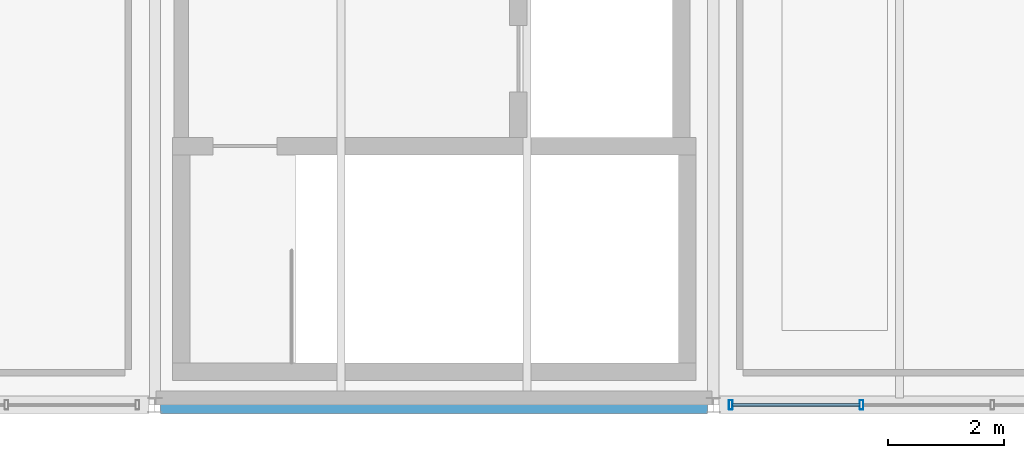
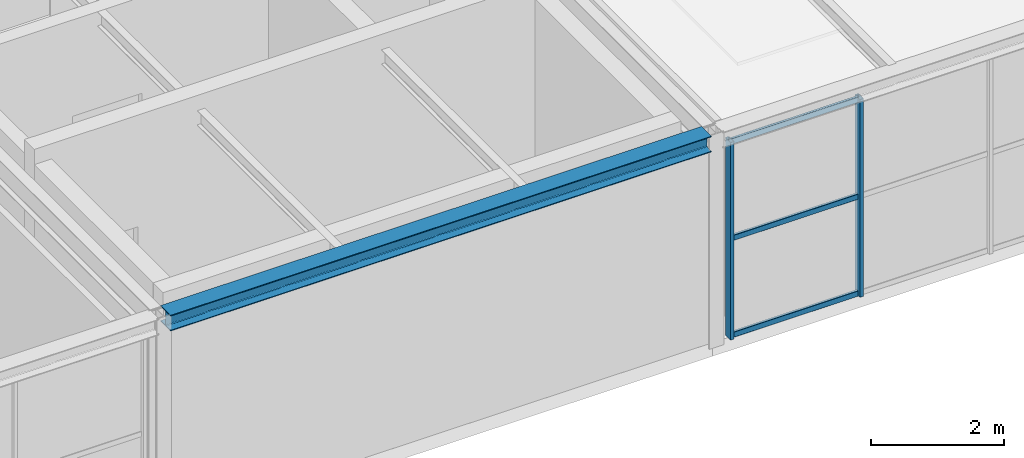
# One storey, part 10 of 33: 5 members, 1 beam, 1 element without a shape of its own.
"""IFC4 building model written with IfcOpenShell, lengths in metres."""

import ifcopenshell
import ifcopenshell.guid

model = None  # the IFC model being written
_history = None  # IfcOwnerHistory: only IFC2X3 demands one
_inside = {}  # id of a spatial element -> (the spatial element, [elements in it])
_under = {}  # id of a project, library or spatial element -> (it, [spatial elements below it])
_declared = {}  # id of a project -> (the project, [libraries it declares])
_typed = {}  # id of a type object -> (the type object, [elements of that type])
_made_of = {}  # id of a material, layer set ... -> (it, [elements and type objects made of it])


def new_model(schema):
    """Start an empty IFC model of exactly this schema.

    Asked for "IFC4X3", IfcOpenShell would pick the latest addendum, in which some entities
    have other attributes; the version numbers below select the first issue.
    IFC2X3 requires an IfcOwnerHistory on every rooted entity: one is made here for all.
    """
    global model, _history
    if schema == "IFC4X3":
        model = ifcopenshell.file(schema_version=(4, 3, 0, 0))
    else:
        model = ifcopenshell.file(schema=schema)
    _inside.clear()
    _under.clear()
    _declared.clear()
    _typed.clear()
    _made_of.clear()
    _history = None
    if model.schema == "IFC2X3":
        org = make("IfcOrganization", Name="unknown")
        user = make(
            "IfcPersonAndOrganization",
            ThePerson=make("IfcPerson", FamilyName="unknown"),
            TheOrganization=org,
        )
        app = make(
            "IfcApplication",
            ApplicationDeveloper=org,
            Version="unknown",
            ApplicationFullName="unknown",
            ApplicationIdentifier="unknown",
        )
        _history = make(
            "IfcOwnerHistory",
            OwningUser=user,
            OwningApplication=app,
            ChangeAction="ADDED",
            CreationDate=0,
        )
    return model


def make(cls, **values):
    """One entity of the class cls with the attributes given. An attribute that is None is left unset."""
    return model.create_entity(
        cls, **{name: value for name, value in values.items() if value is not None}
    )


def rooted(cls, **values):
    """An entity with a GlobalId (a new one), such as an element, a storey or a relation."""
    return make(cls, GlobalId=ifcopenshell.guid.new(), OwnerHistory=_history, **values)


def si_unit(unit_type, name, prefix=None):
    """IfcSIUnit, for example si_unit("LENGTHUNIT", "METRE", prefix="MILLI")."""
    return make("IfcSIUnit", UnitType=unit_type, Prefix=prefix, Name=name)


def assignment(units):
    """IfcUnitAssignment: the units of a project."""
    return None if units is None else make("IfcUnitAssignment", Units=units)


def point(xyz):
    """IfcCartesianPoint."""
    return None if xyz is None else make("IfcCartesianPoint", Coordinates=xyz)


def direction(xyz):
    """IfcDirection."""
    return None if xyz is None else make("IfcDirection", DirectionRatios=xyz)


def frame(location, z_axis=None, x_axis=None):
    """IfcAxis2Placement3D, a coordinate frame: its origin and axes. An axis left out is left unset."""
    return make(
        "IfcAxis2Placement3D",
        Location=point(location),
        Axis=direction(z_axis),
        RefDirection=direction(x_axis),
    )


def frame_2d(location, x_axis=None):
    """IfcAxis2Placement2D, a coordinate frame in the plane: its origin and x axis."""
    return make(
        "IfcAxis2Placement2D", Location=point(location), RefDirection=direction(x_axis)
    )


def origin():
    """The frame at (0, 0, 0) with its axes left unset."""
    return frame((0.0, 0.0, 0.0))


def origin_2d():
    """The frame at (0, 0) in the plane with its x axis left unset."""
    return frame_2d((0.0, 0.0))


def place(relative_to, where):
    """IfcLocalPlacement: puts the frame where relative to a parent placement (None: the world)."""
    return make(
        "IfcLocalPlacement", PlacementRelTo=relative_to, RelativePlacement=where
    )


def context(
    kind, dimensions, precision=None, world=None, true_north=None, identifier=None
):
    """IfcGeometricRepresentationContext, for example the 3D "Model" context."""
    return make(
        "IfcGeometricRepresentationContext",
        ContextIdentifier=identifier,
        ContextType=kind,
        CoordinateSpaceDimension=dimensions,
        Precision=precision,
        WorldCoordinateSystem=world,
        TrueNorth=true_north,
    )


def subcontext(parent, identifier, kind, view, scale=None):
    """IfcGeometricRepresentationSubContext, for example "Body" below "Model"."""
    return make(
        "IfcGeometricRepresentationSubContext",
        ContextIdentifier=identifier,
        ContextType=kind,
        ParentContext=parent,
        TargetScale=scale,
        TargetView=view,
    )


def project(units=None, contexts=None):
    """IfcProject with its units and contexts."""
    return rooted(
        "IfcProject",
        Name="project",
        RepresentationContexts=contexts,
        UnitsInContext=assignment(units),
    )


def spatial(cls, under=None, at=None, **own):
    """A site, building, storey or space (cls), placed at a placement, below another one or the project."""
    s = rooted(cls, ObjectPlacement=at, **own)
    if under is not None:
        _under.setdefault(under.id(), (under, []))[1].append(s)
    return s


def profile(cls, at=None, kind="AREA", **sizes):
    """A parametric profile (cls). Its sizes go by their IFC names, for example OverallWidth=200.0."""
    return make(cls, ProfileType=kind, Position=at, **sizes)


def hollow_rectangle(**sizes):
    """IfcRectangleHollowProfileDef."""
    return profile("IfcRectangleHollowProfileDef", **sizes)


def i_section(**sizes):
    """IfcIShapeProfileDef."""
    return profile("IfcIShapeProfileDef", **sizes)


def extrude(swept, where, along, depth):
    """IfcExtrudedAreaSolid: the profile swept, set in the frame where, extruded along a direction by depth."""
    return make(
        "IfcExtrudedAreaSolid",
        SweptArea=swept,
        Position=where,
        ExtrudedDirection=direction(along),
        Depth=depth,
    )


def shape(context_of_items, identifier, shape_type, items):
    """IfcShapeRepresentation: the items that make up one representation, for example the "Body"."""
    return make(
        "IfcShapeRepresentation",
        ContextOfItems=context_of_items,
        RepresentationIdentifier=identifier,
        RepresentationType=shape_type,
        Items=items,
    )


def material(Name=None, Category=None):
    """IfcMaterial."""
    return make("IfcMaterial", Name=Name, Category=Category)


def material_profile(
    of_material, cross_section, Name=None, Category=None, Priority=None
):
    """IfcMaterialProfile: a cross section and its material."""
    return make(
        "IfcMaterialProfile",
        Name=Name,
        Material=of_material,
        Profile=cross_section,
        Priority=Priority,
        Category=Category,
    )


def profile_set(profiles, Name=None, composite=None):
    """IfcMaterialProfileSet."""
    return make(
        "IfcMaterialProfileSet",
        Name=Name,
        MaterialProfiles=profiles,
        CompositeProfile=composite,
    )


def made_of(thing, what):
    """Note that an element or type object is made of a material, layer set ...; save() writes the relation."""
    if what is not None:
        _made_of.setdefault(what.id(), (what, []))[1].append(thing)
    return thing


def type_object(cls, material=None, **own):
    """A type object (cls), such as IfcWallType, which elements share."""
    return made_of(rooted(cls, **own), material)


def element(
    cls,
    number,
    at=None,
    inside=None,
    cuts=None,
    type_object=None,
    material=None,
    context=None,
    identifier="Body",
    shape_type=None,
    held_by="IfcProductDefinitionShape",
    body=None,
    shapes=None,
    **own,
):
    """One element of the class cls, such as IfcWall. Its Tag is "e" and its number.

    at: its placement. inside: the storey or other place that contains it. cuts: it is an
    opening in that element (IfcRelVoidsElement). A single representation is given by context,
    identifier, shape_type and body (its items); several are given by shapes. held_by: the class
    of the entity that holds the representations. save() writes the other relations.
    """
    e = rooted(cls, Tag="e%d" % number, ObjectPlacement=at, **own)
    if body is not None:
        shapes = [shape(context, identifier, shape_type, body)]
    if shapes is not None:
        e.Representation = make(held_by, Representations=shapes)
    if inside is not None:
        _inside.setdefault(inside.id(), (inside, []))[1].append(e)
    if cuts is not None:
        rooted(
            "IfcRelVoidsElement", RelatingBuildingElement=cuts, RelatedOpeningElement=e
        )
    if type_object is not None:
        _typed.setdefault(type_object.id(), (type_object, []))[1].append(e)
    return made_of(e, material)


def aggregate(whole, parts):
    """IfcRelAggregates: a whole, such as a stair, and the parts it consists of."""
    return rooted("IfcRelAggregates", RelatingObject=whole, RelatedObjects=parts)


def save(model, path):
    """Write the relations noted so far, then the file.

    IfcRelAggregates (storeys below a building ...), IfcRelContainedInSpatialStructure (elements
    in a storey), IfcRelDefinesByType, IfcRelAssociatesMaterial and IfcRelDeclares: one each for
    every whole, place, type object, material and project.
    """
    for whole, parts in _under.values():
        aggregate(whole, parts)
    for where, things in _inside.values():
        rooted(
            "IfcRelContainedInSpatialStructure",
            RelatedElements=things,
            RelatingStructure=where,
        )
    for kind, things in _typed.values():
        rooted("IfcRelDefinesByType", RelatedObjects=things, RelatingType=kind)
    for what, things in _made_of.values():
        rooted("IfcRelAssociatesMaterial", RelatedObjects=things, RelatingMaterial=what)
    for by, libraries in _declared.values():
        rooted("IfcRelDeclares", RelatingContext=by, RelatedDefinitions=libraries)
    model.write(path)


model = new_model("IFC4")

# Units and contexts
model_context = context("Model", 3, precision=1e-05, world=origin(), true_north=direction((0.0, 1.0)))
body_context = subcontext(model_context, "Body", "Model", "MODEL_VIEW")
ifc_project = project(units=[si_unit("LENGTHUNIT", "METRE"), si_unit("AREAUNIT", "SQUARE_METRE"), si_unit("VOLUMEUNIT", "CUBIC_METRE"), si_unit("PLANEANGLEUNIT", "RADIAN"), si_unit("MASSUNIT", "GRAM", prefix="KILO")], contexts=[model_context])

# Site, building, storey
site_placement = place(None, origin())
site = spatial("IfcSite", under=ifc_project, at=site_placement, CompositionType="ELEMENT")
building_placement = place(site_placement, origin())
building = spatial("IfcBuilding", under=site, at=building_placement, Name="Coralgate Yard Interchange", CompositionType="ELEMENT")
storey_placement = place(building_placement, frame((0.0, 0.0, 23.10009765625)))
storey = spatial("IfcBuildingStorey", under=building, at=storey_placement, Name="L05", CompositionType="ELEMENT", Elevation=23.10009765625)

# Beam
ifc_material_1 = material(Name="Structural steel S355J2", Category="steel")
ifc_material_profile_1 = material_profile(ifc_material_1, i_section(OverallWidth=0.300048828125, OverallDepth=0.2900390625, WebThickness=0.008544921875, FlangeThickness=0.013916015625, FilletRadius=0.027099609375, at=origin_2d()), Name="HEA 300")
ifc_profile_set_1 = profile_set([ifc_material_profile_1], Name="Structural steel S355J2")
beam_type = type_object("IfcBeamType", Name="BM-SP-2", PredefinedType="SPANDREL", material=ifc_profile_set_1)
beam_placement = place(storey_placement, frame((19.298095703125, 0.0, 3.77490234375), z_axis=(1.0, 0.0, 0.0), x_axis=(0.0, 1.0, 0.0)))
element("IfcBeam", 1, at=beam_placement, inside=storey, type_object=beam_type, Name="L05 primary grid beam Y0 X2-3", PredefinedType="SPANDREL", context=body_context, shape_type="SweptSolid", body=[
    extrude(i_section(OverallWidth=0.300048828125, OverallDepth=0.2900390625, WebThickness=0.008544921875, FlangeThickness=0.013916015625, FilletRadius=0.027099609375, at=origin_2d()), origin(), (0.0, 0.0, 1.0), 9.40380859375),
])

# Curtain wall, members
ifc_material_2 = material(Name="Anodised coastal aluminium and solar-control low-E glass", Category="aluminium")
curtain_wall_type = type_object("IfcCurtainWallType", Name="CW-CW-L05-A", PredefinedType="NOTDEFINED", material=ifc_material_2)
curtain_wall_placement = place(storey_placement, origin())
curtain_wall = element("IfcCurtainWall", 2, at=curtain_wall_placement, inside=storey, type_object=curtain_wall_type, Name="L05 unitised curtain wall CW-L05-S-03-00", PredefinedType="NOTDEFINED")
ifc_material_3 = material(Name="Anodised coastal aluminium 6063-T6", Category="aluminium")
ifc_material_profile_2 = material_profile(ifc_material_3, hollow_rectangle(XDim=0.06494140625, YDim=0.159912109375, WallThickness=0.00390625, InnerFilletRadius=0.00390625, OuterFilletRadius=0.008056640625, at=origin_2d()), Name="ALU 65x160x4")
ifc_profile_set_2 = profile_set([ifc_material_profile_2], Name="Anodised coastal aluminium 6063-T6")
member_type_1 = type_object("IfcMemberType", Name="MB-MUL-160", PredefinedType="MULLION", material=ifc_profile_set_2)
member_1_placement = place(storey_placement, frame((31.35009765625, 0.0, 0.0), z_axis=(0.0, 0.0, 1.0), x_axis=(1.0, 0.0, 0.0)))
member_1 = element("IfcMember", 3, at=member_1_placement, type_object=member_type_1, Name="CW-L05-S-03-00 vertical mullion 4", PredefinedType="MULLION", context=body_context, shape_type="SweptSolid", body=[
    extrude(hollow_rectangle(XDim=0.06494140625, YDim=0.159912109375, WallThickness=0.00390625, InnerFilletRadius=0.00390625, OuterFilletRadius=0.008056640625, at=origin_2d()), origin(), (0.0, 0.0, 1.0), 3.6298828125),
])
member_2_placement = place(storey_placement, frame((29.10009765625, 0.0, 0.0), z_axis=(0.0, 0.0, 1.0), x_axis=(1.0, 0.0, 0.0)))
member_2 = element("IfcMember", 4, at=member_2_placement, type_object=member_type_1, Name="CW-L05-S-03-00 vertical mullion 5", PredefinedType="MULLION", context=body_context, shape_type="SweptSolid", body=[
    extrude(hollow_rectangle(XDim=0.06494140625, YDim=0.159912109375, WallThickness=0.00390625, InnerFilletRadius=0.00390625, OuterFilletRadius=0.008056640625, at=origin_2d()), origin(), (0.0, 0.0, 1.0), 3.6298828125),
])
ifc_material_profile_3 = material_profile(ifc_material_3, hollow_rectangle(XDim=0.050048828125, YDim=0.10009765625, WallThickness=0.0029296875, InnerFilletRadius=0.0029296875, OuterFilletRadius=0.006103515625, at=origin_2d()), Name="ALU 50x100x3")
ifc_profile_set_3 = profile_set([ifc_material_profile_3], Name="Anodised coastal aluminium 6063-T6")
member_type_2 = type_object("IfcMemberType", Name="MB-TRN-100", PredefinedType="USERDEFINED", material=ifc_profile_set_3)
member_3_placement = place(storey_placement, frame((31.320068359375, 0.0, 0.034912109375), z_axis=(-1.0, 0.0, 0.0), x_axis=(0.0, -1.0, 0.0)))
member_3 = element("IfcMember", 5, at=member_3_placement, type_object=member_type_2, Name="CW-L05-S-03-00 horizontal transom 4-1", ObjectType="TRANSOM", PredefinedType="USERDEFINED", context=body_context, shape_type="SweptSolid", body=[
    extrude(hollow_rectangle(XDim=0.050048828125, YDim=0.10009765625, WallThickness=0.0029296875, InnerFilletRadius=0.0029296875, OuterFilletRadius=0.006103515625, at=origin_2d()), origin(), (0.0, 0.0, 1.0), 2.190185546875),
])
member_4_placement = place(storey_placement, frame((31.320068359375, 0.0, 1.81494140625), z_axis=(-1.0, 0.0, 0.0), x_axis=(0.0, -1.0, 0.0)))
member_4 = element("IfcMember", 6, at=member_4_placement, type_object=member_type_2, Name="CW-L05-S-03-00 horizontal transom 4-2", ObjectType="TRANSOM", PredefinedType="USERDEFINED", context=body_context, shape_type="SweptSolid", body=[
    extrude(hollow_rectangle(XDim=0.050048828125, YDim=0.10009765625, WallThickness=0.0029296875, InnerFilletRadius=0.0029296875, OuterFilletRadius=0.006103515625, at=origin_2d()), origin(), (0.0, 0.0, 1.0), 2.190185546875),
])
member_5_placement = place(storey_placement, frame((31.320068359375, 0.0, 3.594970703125), z_axis=(-1.0, 0.0, 0.0), x_axis=(0.0, -1.0, 0.0)))
member_5 = element("IfcMember", 7, at=member_5_placement, type_object=member_type_2, Name="CW-L05-S-03-00 horizontal transom 4-3", ObjectType="TRANSOM", PredefinedType="USERDEFINED", context=body_context, shape_type="SweptSolid", body=[
    extrude(hollow_rectangle(XDim=0.050048828125, YDim=0.10009765625, WallThickness=0.0029296875, InnerFilletRadius=0.0029296875, OuterFilletRadius=0.006103515625, at=origin_2d()), origin(), (0.0, 0.0, 1.0), 2.190185546875),
])
aggregate(curtain_wall, [member_1, member_2, member_3, member_4, member_5])

save(model, "model.ifc")
